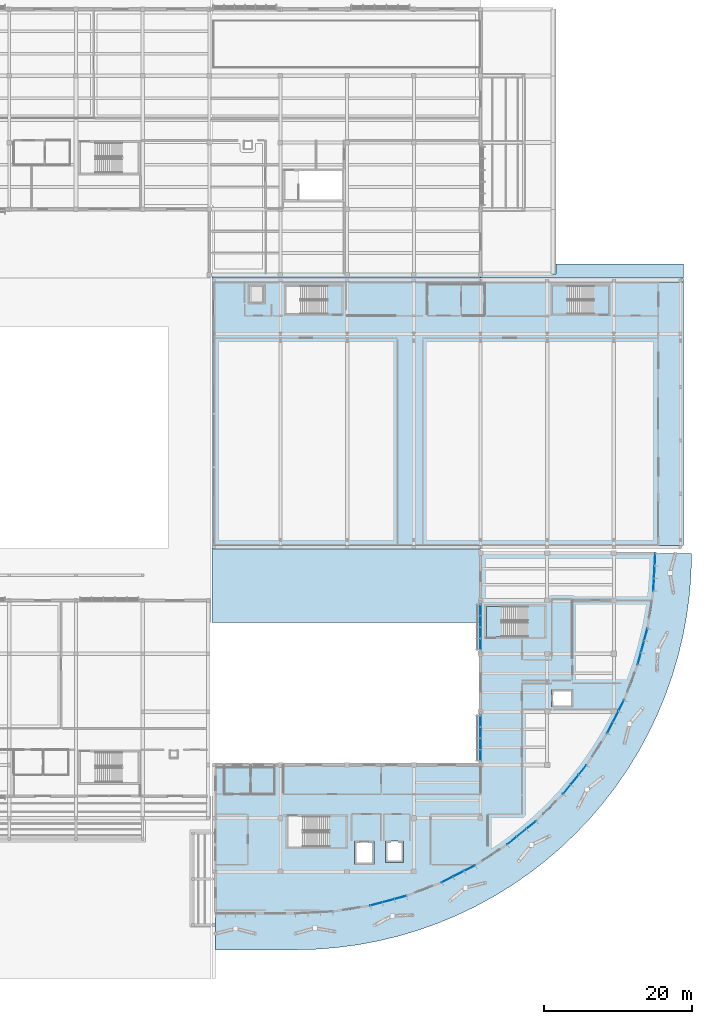
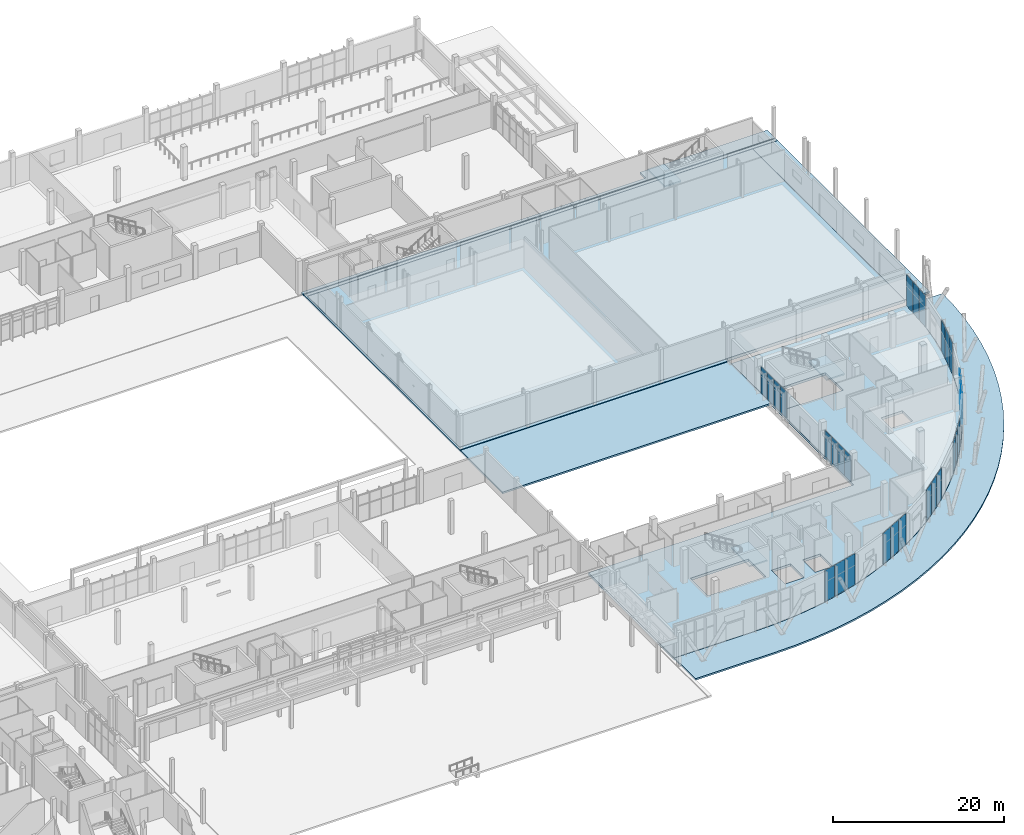
# One storey, part 110 of 151: 29 plates, 13 slabs, 12 elements without a shape of their own.
"""IFC4 building model written with IfcOpenShell, lengths in metres."""

from ifc_helpers import new_model, si_unit, direction, frame, origin, origin_2d, place, context, subcontext, project, spatial, polyline, rectangle, outline, extrude, material, layer, layer_set, type_object, element, aggregate, save


model = new_model("IFC4")

# Units and contexts
model_context = context("Model", 3, precision=1e-05, world=origin(), true_north=direction((0.0, 1.0)))
body_context = subcontext(model_context, "Body", "Model", "MODEL_VIEW")
ifc_project = project(units=[si_unit("LENGTHUNIT", "METRE"), si_unit("AREAUNIT", "SQUARE_METRE"), si_unit("VOLUMEUNIT", "CUBIC_METRE"), si_unit("PLANEANGLEUNIT", "RADIAN"), si_unit("MASSUNIT", "GRAM", prefix="KILO")], contexts=[model_context])

# Site, building, storey
site_placement = place(None, origin())
site = spatial("IfcSite", under=ifc_project, at=site_placement, CompositionType="ELEMENT")
building_placement = place(site_placement, origin())
building = spatial("IfcBuilding", under=site, at=building_placement, Name="Chiffa Square Polytechnic", CompositionType="ELEMENT")
storey_placement = place(building_placement, origin())
storey = spatial("IfcBuildingStorey", under=building, at=storey_placement, Name="L00", CompositionType="ELEMENT", Elevation=0.0)

# Curtain wall, plates
ifc_material_1 = material(Name="Aluminium EN AW-6060 T66 and glulam shading", Category="wood")
curtain_wall_type_1 = type_object("IfcCurtainWallType", Name="CW-VERT-600X440", PredefinedType="USERDEFINED", material=ifc_material_1)
curtain_wall_1_placement = place(storey_placement, origin())
curtain_wall_1 = element("IfcCurtainWall", 1, at=curtain_wall_1_placement, inside=storey, type_object=curtain_wall_type_1, Name="Curtain wall CW-V1-L00-009", ObjectType="CURTAIN WALL", PredefinedType="USERDEFINED")
ifc_material_2 = material(Name="Double glazing", Category="glass")
ifc_layer_1 = layer(ifc_material_2, 0.0458984375, Name="Double glazing")
ifc_layer_set_1 = layer_set([ifc_layer_1], Name="Double glazing")
plate_type_1 = type_object("IfcPlateType", Name="CWP-GLZ-128X106", PredefinedType="CURTAIN_PANEL", material=ifc_layer_set_1)
plate_1_placement = place(storey_placement, frame((171.5791015625, 53.1279296875, 0.029541015625), z_axis=(0.0, 0.0, 1.0), x_axis=(0.052283668051, 0.99863227369, 0.0)))
plate_1 = element("IfcPlate", 2, at=plate_1_placement, type_object=plate_type_1, Name="Glazed curtain panel CW-V1-L00-009-PN01", PredefinedType="CURTAIN_PANEL", context=body_context, shape_type="SweptSolid", body=[
    extrude(rectangle(XDim=1.6220703125, YDim=0.0458984375, at=origin_2d()), origin(), (0.0, 0.0, 1.0), 4.455078125),
])
plate_2_placement = place(storey_placement, frame((171.6669921875, 54.81005859375, 0.029541015625), z_axis=(0.0, 0.0, 1.0), x_axis=(0.052283668051, 0.99863227369, 0.0)))
plate_2 = element("IfcPlate", 3, at=plate_2_placement, type_object=plate_type_1, Name="Glazed curtain panel CW-V1-L00-009-PN02", PredefinedType="CURTAIN_PANEL", context=body_context, shape_type="SweptSolid", body=[
    extrude(rectangle(XDim=1.64404296875, YDim=0.0458984375, at=origin_2d()), origin(), (0.0, 0.0, 1.0), 4.455078125),
])
plate_3_placement = place(storey_placement, frame((171.7548828125, 56.491943359375, 0.029541015625), z_axis=(0.0, 0.0, 1.0), x_axis=(0.052283668051, 0.99863227369, 0.0)))
plate_3 = element("IfcPlate", 4, at=plate_3_placement, type_object=plate_type_1, Name="Glazed curtain panel CW-V1-L00-009-PN03", PredefinedType="CURTAIN_PANEL", context=body_context, shape_type="SweptSolid", body=[
    extrude(rectangle(XDim=1.6220703125, YDim=0.0458984375, at=origin_2d()), origin(), (0.0, 0.0, 1.0), 4.455078125),
])
aggregate(curtain_wall_1, [plate_1, plate_2, plate_3])

curtain_wall_type_2 = type_object("IfcCurtainWallType", Name="CW-VERT-450X440", PredefinedType="USERDEFINED", material=ifc_material_1)
curtain_wall_2_placement = place(storey_placement, origin())
curtain_wall_2 = element("IfcCurtainWall", 5, at=curtain_wall_2_placement, inside=storey, type_object=curtain_wall_type_2, Name="Curtain wall CW-V1-L00-008", ObjectType="CURTAIN WALL", PredefinedType="USERDEFINED")
ifc_layer_2 = layer(ifc_material_2, 0.0458984375, Name="Double glazing")
ifc_layer_set_2 = layer_set([ifc_layer_2], Name="Double glazing")
plate_type_2 = type_object("IfcPlateType", Name="CWP-GLZ-130X110", PredefinedType="CURTAIN_PANEL", material=ifc_layer_set_2)
plate_4_placement = place(storey_placement, frame((169.64306640625, 43.160888671875, 0.029541015625), z_axis=(0.0, 0.0, 1.0), x_axis=(0.258920195199, 0.965898717526, 0.0)))
plate_4 = element("IfcPlate", 6, at=plate_4_placement, type_object=plate_type_2, Name="Glazed curtain panel CW-V1-L00-008-PN01", PredefinedType="CURTAIN_PANEL", context=body_context, shape_type="SweptSolid", body=[
    extrude(rectangle(XDim=1.62109375, YDim=0.0458984375, at=origin_2d()), origin(), (0.0, 0.0, 1.0), 4.455078125),
])
plate_5_placement = place(storey_placement, frame((170.0791015625, 44.7880859375, 0.029541015625), z_axis=(0.0, 0.0, 1.0), x_axis=(0.258920195199, 0.965898717526, 0.0)))
plate_5 = element("IfcPlate", 7, at=plate_5_placement, type_object=plate_type_2, Name="Glazed curtain panel CW-V1-L00-008-PN02", PredefinedType="CURTAIN_PANEL", context=body_context, shape_type="SweptSolid", body=[
    extrude(rectangle(XDim=1.64306640625, YDim=0.0458984375, at=origin_2d()), origin(), (0.0, 0.0, 1.0), 4.455078125),
])
plate_6_placement = place(storey_placement, frame((170.51611328125, 46.416015625, 0.029541015625), z_axis=(0.0, 0.0, 1.0), x_axis=(0.258920195199, 0.965898717526, 0.0)))
plate_6 = element("IfcPlate", 8, at=plate_6_placement, type_object=plate_type_2, Name="Glazed curtain panel CW-V1-L00-008-PN03", PredefinedType="CURTAIN_PANEL", context=body_context, shape_type="SweptSolid", body=[
    extrude(rectangle(XDim=1.62109375, YDim=0.0458984375, at=origin_2d()), origin(), (0.0, 0.0, 1.0), 4.455078125),
])
aggregate(curtain_wall_2, [plate_4, plate_5, plate_6])

curtain_wall_type_3 = type_object("IfcCurtainWallType", Name="CW-VERT-540X440", PredefinedType="USERDEFINED", material=ifc_material_1)
curtain_wall_3_placement = place(storey_placement, origin())
curtain_wall_3 = element("IfcCurtainWall", 9, at=curtain_wall_3_placement, inside=storey, type_object=curtain_wall_type_3, Name="Curtain wall CW-V1-L00-007", ObjectType="CURTAIN WALL", PredefinedType="USERDEFINED")
ifc_layer_3 = layer(ifc_material_2, 0.0439453125, Name="Double glazing")
ifc_layer_set_3 = layer_set([ifc_layer_3], Name="Double glazing")
plate_type_3 = type_object("IfcPlateType", Name="CWP-GLZ-132X114", PredefinedType="CURTAIN_PANEL", material=ifc_layer_set_3)
plate_7_placement = place(storey_placement, frame((165.678955078125, 33.81494140625, 0.029541015625), z_axis=(0.0, 0.0, 1.0), x_axis=(0.453881639369, 0.891061982941, 0.0)))
plate_7 = element("IfcPlate", 10, at=plate_7_placement, type_object=plate_type_3, Name="Glazed curtain panel CW-V1-L00-007-PN01", PredefinedType="CURTAIN_PANEL", context=body_context, shape_type="SweptSolid", body=[
    extrude(rectangle(XDim=1.6220703125, YDim=0.0439453125, at=origin_2d()), origin(), (0.0, 0.0, 1.0), 4.455078125),
])
plate_8_placement = place(storey_placement, frame((166.444091796875, 35.31591796875, 0.029541015625), z_axis=(0.0, 0.0, 1.0), x_axis=(0.453881639369, 0.891061982941, 0.0)))
plate_8 = element("IfcPlate", 11, at=plate_8_placement, type_object=plate_type_3, Name="Glazed curtain panel CW-V1-L00-007-PN02", PredefinedType="CURTAIN_PANEL", context=body_context, shape_type="SweptSolid", body=[
    extrude(rectangle(XDim=1.64404296875, YDim=0.0439453125, at=origin_2d()), origin(), (0.0, 0.0, 1.0), 4.455078125),
])
plate_9_placement = place(storey_placement, frame((167.2080078125, 36.818115234375, 0.029541015625), z_axis=(0.0, 0.0, 1.0), x_axis=(0.453881639369, 0.891061982941, 0.0)))
plate_9 = element("IfcPlate", 12, at=plate_9_placement, type_object=plate_type_3, Name="Glazed curtain panel CW-V1-L00-007-PN03", PredefinedType="CURTAIN_PANEL", context=body_context, shape_type="SweptSolid", body=[
    extrude(rectangle(XDim=1.6220703125, YDim=0.0439453125, at=origin_2d()), origin(), (0.0, 0.0, 1.0), 4.455078125),
])
aggregate(curtain_wall_3, [plate_7, plate_8, plate_9])

curtain_wall_type_4 = type_object("IfcCurtainWallType", Name="CW-VERT-480X380", PredefinedType="USERDEFINED", material=ifc_material_1)
curtain_wall_4_placement = place(storey_placement, origin())
curtain_wall_4 = element("IfcCurtainWall", 13, at=curtain_wall_4_placement, inside=storey, type_object=curtain_wall_type_4, Name="Curtain wall CW-V1-L00-006", ObjectType="CURTAIN WALL", PredefinedType="USERDEFINED")
ifc_layer_4 = layer(ifc_material_2, 0.0439453125, Name="Double glazing")
ifc_layer_set_4 = layer_set([ifc_layer_4], Name="Double glazing")
plate_type_4 = type_object("IfcPlateType", Name="CWP-GLZ-134X118", PredefinedType="CURTAIN_PANEL", material=ifc_layer_set_4)
plate_10_placement = place(storey_placement, frame((159.85693359375, 25.498046875, 0.029541015625), z_axis=(0.0, 0.0, 1.0), x_axis=(0.629211874869, 0.777233823584, 0.0)))
plate_10 = element("IfcPlate", 14, at=plate_10_placement, type_object=plate_type_4, Name="Glazed curtain panel CW-V1-L00-006-PN01", PredefinedType="CURTAIN_PANEL", context=body_context, shape_type="SweptSolid", body=[
    extrude(rectangle(XDim=1.6220703125, YDim=0.0439453125, at=origin_2d()), origin(), (0.0, 0.0, 1.0), 4.455078125),
])
plate_11_placement = place(storey_placement, frame((160.91796875, 26.806884765625, 0.029541015625), z_axis=(0.0, 0.0, 1.0), x_axis=(0.629211874869, 0.777233823584, 0.0)))
plate_11 = element("IfcPlate", 15, at=plate_11_placement, type_object=plate_type_4, Name="Glazed curtain panel CW-V1-L00-006-PN02", PredefinedType="CURTAIN_PANEL", context=body_context, shape_type="SweptSolid", body=[
    extrude(rectangle(XDim=1.64404296875, YDim=0.0439453125, at=origin_2d()), origin(), (0.0, 0.0, 1.0), 4.455078125),
])
plate_12_placement = place(storey_placement, frame((161.97802734375, 28.115966796875, 0.029541015625), z_axis=(0.0, 0.0, 1.0), x_axis=(0.629211874869, 0.777233823584, 0.0)))
plate_12 = element("IfcPlate", 16, at=plate_12_placement, type_object=plate_type_4, Name="Glazed curtain panel CW-V1-L00-006-PN03", PredefinedType="CURTAIN_PANEL", context=body_context, shape_type="SweptSolid", body=[
    extrude(rectangle(XDim=1.6220703125, YDim=0.0439453125, at=origin_2d()), origin(), (0.0, 0.0, 1.0), 4.455078125),
])
aggregate(curtain_wall_4, [plate_10, plate_11, plate_12])

curtain_wall_type_5 = type_object("IfcCurtainWallType", Name="CW-VERT-360X380", PredefinedType="USERDEFINED", material=ifc_material_1)
curtain_wall_5_placement = place(storey_placement, origin())
curtain_wall_5 = element("IfcCurtainWall", 17, at=curtain_wall_5_placement, inside=storey, type_object=curtain_wall_type_5, Name="Curtain wall CW-V1-L00-005", ObjectType="CURTAIN WALL", PredefinedType="USERDEFINED")
ifc_layer_5 = layer(ifc_material_2, 0.0419921875, Name="Double glazing")
ifc_layer_set_5 = layer_set([ifc_layer_5], Name="Double glazing")
plate_type_5 = type_object("IfcPlateType", Name="CWP-GLZ-136X122", PredefinedType="CURTAIN_PANEL", material=ifc_layer_set_5)
plate_13_placement = place(storey_placement, frame((152.43408203125, 18.572021484375, 0.029541015625), z_axis=(0.0, 0.0, 1.0), x_axis=(0.777233823584, 0.629211874869, 0.0)))
plate_13 = element("IfcPlate", 18, at=plate_13_placement, type_object=plate_type_5, Name="Glazed curtain panel CW-V1-L00-005-PN01", PredefinedType="CURTAIN_PANEL", context=body_context, shape_type="SweptSolid", body=[
    extrude(rectangle(XDim=1.6220703125, YDim=0.0419921875, at=origin_2d()), origin(), (0.0, 0.0, 1.0), 4.455078125),
])
plate_14_placement = place(storey_placement, frame((153.742919921875, 19.633056640625, 0.029541015625), z_axis=(0.0, 0.0, 1.0), x_axis=(0.777233823584, 0.629211874869, 0.0)))
plate_14 = element("IfcPlate", 19, at=plate_14_placement, type_object=plate_type_5, Name="Glazed curtain panel CW-V1-L00-005-PN02", PredefinedType="CURTAIN_PANEL", context=body_context, shape_type="SweptSolid", body=[
    extrude(rectangle(XDim=1.64404296875, YDim=0.0419921875, at=origin_2d()), origin(), (0.0, 0.0, 1.0), 4.455078125),
])
plate_15_placement = place(storey_placement, frame((155.052001953125, 20.693115234375, 0.029541015625), z_axis=(0.0, 0.0, 1.0), x_axis=(0.777233823584, 0.629211874869, 0.0)))
plate_15 = element("IfcPlate", 20, at=plate_15_placement, type_object=plate_type_5, Name="Glazed curtain panel CW-V1-L00-005-PN03", PredefinedType="CURTAIN_PANEL", context=body_context, shape_type="SweptSolid", body=[
    extrude(rectangle(XDim=1.6220703125, YDim=0.0419921875, at=origin_2d()), origin(), (0.0, 0.0, 1.0), 4.455078125),
])
aggregate(curtain_wall_5, [plate_13, plate_14, plate_15])

curtain_wall_type_6 = type_object("IfcCurtainWallType", Name="CW-VERT-600X380", PredefinedType="USERDEFINED", material=ifc_material_1)
curtain_wall_6_placement = place(storey_placement, origin())
curtain_wall_6 = element("IfcCurtainWall", 21, at=curtain_wall_6_placement, inside=storey, type_object=curtain_wall_type_6, Name="Curtain wall CW-V1-L00-004", ObjectType="CURTAIN WALL", PredefinedType="USERDEFINED")
ifc_layer_6 = layer(ifc_material_2, 0.0419921875, Name="Double glazing")
ifc_layer_set_6 = layer_set([ifc_layer_6], Name="Double glazing")
plate_type_6 = type_object("IfcPlateType", Name="CWP-GLZ-138X126", PredefinedType="CURTAIN_PANEL", material=ifc_layer_set_6)
plate_16_placement = place(storey_placement, frame((143.73193359375, 13.342041015625, 0.029541015625), z_axis=(0.0, 0.0, 1.0), x_axis=(0.891061982941, 0.453881639369, 0.0)))
plate_16 = element("IfcPlate", 22, at=plate_16_placement, type_object=plate_type_6, Name="Glazed curtain panel CW-V1-L00-004-PN01", PredefinedType="CURTAIN_PANEL", context=body_context, shape_type="SweptSolid", body=[
    extrude(rectangle(XDim=1.6220703125, YDim=0.0419921875, at=origin_2d()), origin(), (0.0, 0.0, 1.0), 4.455078125),
])
plate_17_placement = place(storey_placement, frame((145.23388671875, 14.10693359375, 0.029541015625), z_axis=(0.0, 0.0, 1.0), x_axis=(0.891061982941, 0.453881639369, 0.0)))
plate_17 = element("IfcPlate", 23, at=plate_17_placement, type_object=plate_type_6, Name="Glazed curtain panel CW-V1-L00-004-PN02", PredefinedType="CURTAIN_PANEL", context=body_context, shape_type="SweptSolid", body=[
    extrude(rectangle(XDim=1.64404296875, YDim=0.0419921875, at=origin_2d()), origin(), (0.0, 0.0, 1.0), 4.455078125),
])
plate_18_placement = place(storey_placement, frame((146.735107421875, 14.87109375, 0.029541015625), z_axis=(0.0, 0.0, 1.0), x_axis=(0.891061982941, 0.453881639369, 0.0)))
plate_18 = element("IfcPlate", 24, at=plate_18_placement, type_object=plate_type_6, Name="Glazed curtain panel CW-V1-L00-004-PN03", PredefinedType="CURTAIN_PANEL", context=body_context, shape_type="SweptSolid", body=[
    extrude(rectangle(XDim=1.6220703125, YDim=0.0419921875, at=origin_2d()), origin(), (0.0, 0.0, 1.0), 4.455078125),
])
aggregate(curtain_wall_6, [plate_16, plate_17, plate_18])

curtain_wall_type_7 = type_object("IfcCurtainWallType", Name="CW-VERT-300X380", PredefinedType="USERDEFINED", material=ifc_material_1)
curtain_wall_7_placement = place(storey_placement, origin())
curtain_wall_7 = element("IfcCurtainWall", 25, at=curtain_wall_7_placement, inside=storey, type_object=curtain_wall_type_7, Name="Curtain wall CW-V1-L00-003", ObjectType="CURTAIN WALL", PredefinedType="USERDEFINED")
ifc_layer_7 = layer(ifc_material_2, 0.0400390625, Name="Double glazing")
ifc_layer_set_7 = layer_set([ifc_layer_7], Name="Double glazing")
plate_type_7 = type_object("IfcPlateType", Name="CWP-GLZ-140X130", PredefinedType="CURTAIN_PANEL", material=ifc_layer_set_7)
plate_19_placement = place(storey_placement, frame((134.134033203125, 10.033935546875, 0.029541015625), z_axis=(0.0, 0.0, 1.0), x_axis=(0.965898717526, 0.258920195199, 0.0)))
plate_19 = element("IfcPlate", 26, at=plate_19_placement, type_object=plate_type_7, Name="Glazed curtain panel CW-V1-L00-003-PN01", PredefinedType="CURTAIN_PANEL", context=body_context, shape_type="SweptSolid", body=[
    extrude(rectangle(XDim=1.62109375, YDim=0.0400390625, at=origin_2d()), origin(), (0.0, 0.0, 1.0), 4.455078125),
])
plate_20_placement = place(storey_placement, frame((135.761962890625, 10.469970703125, 0.029541015625), z_axis=(0.0, 0.0, 1.0), x_axis=(0.965898717526, 0.258920195199, 0.0)))
plate_20 = element("IfcPlate", 27, at=plate_20_placement, type_object=plate_type_7, Name="Glazed curtain panel CW-V1-L00-003-PN02", PredefinedType="CURTAIN_PANEL", context=body_context, shape_type="SweptSolid", body=[
    extrude(rectangle(XDim=1.64306640625, YDim=0.0400390625, at=origin_2d()), origin(), (0.0, 0.0, 1.0), 4.455078125),
])
plate_21_placement = place(storey_placement, frame((137.388916015625, 10.906982421875, 0.029541015625), z_axis=(0.0, 0.0, 1.0), x_axis=(0.965898717526, 0.258920195199, 0.0)))
plate_21 = element("IfcPlate", 28, at=plate_21_placement, type_object=plate_type_7, Name="Glazed curtain panel CW-V1-L00-003-PN03", PredefinedType="CURTAIN_PANEL", context=body_context, shape_type="SweptSolid", body=[
    extrude(rectangle(XDim=1.62109375, YDim=0.0400390625, at=origin_2d()), origin(), (0.0, 0.0, 1.0), 4.455078125),
])
aggregate(curtain_wall_7, [plate_19, plate_20, plate_21])

curtain_wall_8_placement = place(storey_placement, origin())
curtain_wall_8 = element("IfcCurtainWall", 29, at=curtain_wall_8_placement, inside=storey, type_object=curtain_wall_type_4, Name="Curtain wall CW-V1-L00-126", ObjectType="CURTAIN WALL", PredefinedType="USERDEFINED")
ifc_layer_8 = layer(ifc_material_2, 0.0380859375, Name="Double glazing")
ifc_layer_set_8 = layer_set([ifc_layer_8], Name="Double glazing")
plate_type_8 = type_object("IfcPlateType", Name="CWP-GLZ-148X142", PredefinedType="CURTAIN_PANEL", material=ifc_layer_set_8)
plate_22_placement = place(storey_placement, frame((148.199951171875, 34.68408203125, 0.049560546875), z_axis=(0.0, 0.0, 1.0), x_axis=(0.0, -1.0, 0.0)))
plate_22 = element("IfcPlate", 30, at=plate_22_placement, type_object=plate_type_8, Name="Glazed curtain panel CW-V1-L00-126-PN01", PredefinedType="CURTAIN_PANEL", context=body_context, shape_type="SweptSolid", body=[
    extrude(rectangle(XDim=1.4560546875, YDim=0.0380859375, at=origin_2d()), origin(), (0.0, 0.0, 1.0), 3.7548828125),
])
plate_23_placement = place(storey_placement, frame((148.199951171875, 33.1650390625, 0.049560546875), z_axis=(0.0, 0.0, 1.0), x_axis=(0.0, -1.0, 0.0)))
plate_23 = element("IfcPlate", 31, at=plate_23_placement, type_object=plate_type_8, Name="Glazed curtain panel CW-V1-L00-126-PN02", PredefinedType="CURTAIN_PANEL", context=body_context, shape_type="SweptSolid", body=[
    extrude(rectangle(XDim=1.47802734375, YDim=0.0380859375, at=origin_2d()), origin(), (0.0, 0.0, 1.0), 3.7548828125),
])
plate_24_placement = place(storey_placement, frame((148.199951171875, 31.635009765625, 0.049560546875), z_axis=(0.0, 0.0, 1.0), x_axis=(0.0, -1.0, 0.0)))
plate_24 = element("IfcPlate", 32, at=plate_24_placement, type_object=plate_type_8, Name="Glazed curtain panel CW-V1-L00-126-PN03", PredefinedType="CURTAIN_PANEL", context=body_context, shape_type="SweptSolid", body=[
    extrude(rectangle(XDim=1.47802734375, YDim=0.0380859375, at=origin_2d()), origin(), (0.0, 0.0, 1.0), 3.7548828125),
])
plate_25_placement = place(storey_placement, frame((148.199951171875, 30.115966796875, 0.049560546875), z_axis=(0.0, 0.0, 1.0), x_axis=(0.0, -1.0, 0.0)))
plate_25 = element("IfcPlate", 33, at=plate_25_placement, type_object=plate_type_8, Name="Glazed curtain panel CW-V1-L00-126-PN04", PredefinedType="CURTAIN_PANEL", context=body_context, shape_type="SweptSolid", body=[
    extrude(rectangle(XDim=1.4560546875, YDim=0.0380859375, at=origin_2d()), origin(), (0.0, 0.0, 1.0), 3.7548828125),
])
aggregate(curtain_wall_8, [plate_22, plate_23, plate_24, plate_25])

curtain_wall_9_placement = place(storey_placement, origin())
curtain_wall_9 = element("IfcCurtainWall", 34, at=curtain_wall_9_placement, inside=storey, type_object=curtain_wall_type_5, Name="Curtain wall CW-V1-L00-125", ObjectType="CURTAIN WALL", PredefinedType="USERDEFINED")
ifc_layer_9 = layer(ifc_material_2, 0.035888671875, Name="Double glazing")
ifc_layer_set_9 = layer_set([ifc_layer_9], Name="Double glazing")
plate_type_9 = type_object("IfcPlateType", Name="CWP-GLZ-180X140", PredefinedType="CURTAIN_PANEL", material=ifc_layer_set_9)
plate_26_placement = place(storey_placement, frame((148.199951171875, 49.68408203125, 0.049560546875), z_axis=(0.0, 0.0, 1.0), x_axis=(0.0, -1.0, 0.0)))
plate_26 = element("IfcPlate", 35, at=plate_26_placement, type_object=plate_type_9, Name="Glazed curtain panel CW-V1-L00-125-PN01", PredefinedType="CURTAIN_PANEL", context=body_context, shape_type="SweptSolid", body=[
    extrude(rectangle(XDim=1.4560546875, YDim=0.035888671875, at=origin_2d()), origin(), (0.0, 0.0, 1.0), 3.7548828125),
])
plate_27_placement = place(storey_placement, frame((148.199951171875, 48.1650390625, 0.049560546875), z_axis=(0.0, 0.0, 1.0), x_axis=(0.0, -1.0, 0.0)))
plate_27 = element("IfcPlate", 36, at=plate_27_placement, type_object=plate_type_9, Name="Glazed curtain panel CW-V1-L00-125-PN02", PredefinedType="CURTAIN_PANEL", context=body_context, shape_type="SweptSolid", body=[
    extrude(rectangle(XDim=1.47802734375, YDim=0.035888671875, at=origin_2d()), origin(), (0.0, 0.0, 1.0), 3.7548828125),
])
plate_28_placement = place(storey_placement, frame((148.199951171875, 46.635009765625, 0.049560546875), z_axis=(0.0, 0.0, 1.0), x_axis=(0.0, -1.0, 0.0)))
plate_28 = element("IfcPlate", 37, at=plate_28_placement, type_object=plate_type_9, Name="Glazed curtain panel CW-V1-L00-125-PN03", PredefinedType="CURTAIN_PANEL", context=body_context, shape_type="SweptSolid", body=[
    extrude(rectangle(XDim=1.47802734375, YDim=0.035888671875, at=origin_2d()), origin(), (0.0, 0.0, 1.0), 3.7548828125),
])
plate_29_placement = place(storey_placement, frame((148.199951171875, 45.115966796875, 0.049560546875), z_axis=(0.0, 0.0, 1.0), x_axis=(0.0, -1.0, 0.0)))
plate_29 = element("IfcPlate", 38, at=plate_29_placement, type_object=plate_type_9, Name="Glazed curtain panel CW-V1-L00-125-PN04", PredefinedType="CURTAIN_PANEL", context=body_context, shape_type="SweptSolid", body=[
    extrude(rectangle(XDim=1.4560546875, YDim=0.035888671875, at=origin_2d()), origin(), (0.0, 0.0, 1.0), 3.7548828125),
])
aggregate(curtain_wall_9, [plate_26, plate_27, plate_28, plate_29])

# Slabs
ifc_material_3 = material(Name="Limestone paving on compacted sub-base", Category="masonry")
ifc_layer_10 = layer(ifc_material_3, 0.239990234375, Name="Limestone paving on compacted sub-base")
ifc_layer_set_10 = layer_set([ifc_layer_10], Name="Limestone paving on compacted sub-base")
slab_type_1 = type_object("IfcSlabType", Name="SLB-APRON-BASE-240", PredefinedType="FLOOR", material=ifc_layer_set_10)
slab_1_placement = place(storey_placement, frame((0.0, 0.0, -0.239990234375)))
element("IfcSlab", 39, at=slab_1_placement, inside=storey, type_object=slab_type_1, Name="Exterior colonnade and yard apron SLB-APRON-V2-E", PredefinedType="FLOOR", context=body_context, shape_type="SweptSolid", body=[
    extrude(outline(polyline([(175.60009765625, 93.949951171875), (175.60009765625, 58.449951171875), (172.2119140625, 58.449951171875), (172.2119140625, 93.949951171875), (175.60009765625, 93.949951171875)])), origin(), (0.0, 0.0, 1.0), 0.239990234375),
])
slab_2_placement = place(storey_placement, frame((0.0, 0.0, -0.239990234375)))
element("IfcSlab", 40, at=slab_2_placement, inside=storey, type_object=slab_type_1, Name="Exterior colonnade and yard apron SLB-APRON-V2-N", PredefinedType="FLOOR", context=body_context, shape_type="SweptSolid", body=[
    extrude(outline(polyline([(148.199951171875, 94.449951171875), (175.60009765625, 94.449951171875), (175.60009765625, 93.9619140625), (148.199951171875, 93.9619140625), (148.199951171875, 94.449951171875)])), origin(), (0.0, 0.0, 1.0), 0.239990234375),
])
slab_3_placement = place(storey_placement, frame((0.0, 0.0, -0.239990234375)))
element("IfcSlab", 41, at=slab_3_placement, inside=storey, type_object=slab_type_1, Name="Exterior colonnade and yard apron SLB-APRON-V2-N-2", PredefinedType="FLOOR", context=body_context, shape_type="SweptSolid", body=[
    extrude(outline(polyline([(175.60009765625, 96.39990234375), (175.60009765625, 94.550048828125), (148.199951171875, 94.550048828125), (148.199951171875, 95.0380859375), (148.2060546875, 95.0400390625), (158.402099609375, 95.0380859375), (158.412109375, 95.050048828125), (158.412109375, 96.39990234375), (175.60009765625, 96.39990234375)])), origin(), (0.0, 0.0, 1.0), 0.239990234375),
])
slab_4_placement = place(storey_placement, frame((0.0, 0.0, -0.239990234375)))
element("IfcSlab", 42, at=slab_4_placement, inside=storey, type_object=slab_type_1, Name="Chiffa Square portico plaza SLB-APRON-V1-1", PredefinedType="FLOOR", context=body_context, shape_type="SweptSolid", body=[
    extrude(outline(polyline([(176.699951171875, 57.35009765625), (176.626953125, 54.550048828125), (176.406982421875, 51.758056640625), (176.041015625, 48.98095703125), (175.531005859375, 46.22705078125), (174.876953125, 43.5029296875), (174.08203125, 40.818115234375), (173.14697265625, 38.177001953125), (172.074951171875, 35.590087890625), (170.868896484375, 33.06201171875), (169.531982421875, 30.60009765625), (168.069091796875, 28.2119140625), (166.48193359375, 25.903076171875), (164.777099609375, 23.680908203125), (162.9580078125, 21.552001953125), (161.030029296875, 19.52001953125), (158.998046875, 17.592041015625), (156.868896484375, 15.77294921875), (154.64697265625, 14.068115234375), (152.337890625, 12.48095703125), (149.949951171875, 11.01806640625), (147.488037109375, 9.680908203125), (144.9599609375, 8.47509765625), (142.373046875, 7.403076171875), (139.73193359375, 6.468017578125), (137.047119140625, 5.673095703125), (134.322998046875, 5.01904296875), (131.569091796875, 4.509033203125), (128.7919921875, 4.14306640625), (126.0, 3.923095703125), (123.199951171875, 3.85009765625), (112.465087890625, 3.85009765625), (112.465087890625, 8.735107421875), (123.199951171875, 8.735107421875), (125.7451171875, 8.802001953125), (128.281982421875, 9.0009765625), (130.804931640625, 9.3330078125), (133.30810546875, 9.797119140625), (135.782958984375, 10.39111328125), (138.221923828125, 11.114990234375), (140.6220703125, 11.964111328125), (142.972900390625, 12.93798828125), (145.27099609375, 14.033935546875), (147.507080078125, 15.248046875), (149.677001953125, 16.577880859375), (151.77490234375, 18.02001953125), (153.794921875, 19.570068359375), (155.72998046875, 21.221923828125), (157.575927734375, 22.97509765625), (159.327880859375, 24.820068359375), (160.97998046875, 26.7548828125), (162.530029296875, 28.77490234375), (163.971923828125, 30.873046875), (165.302001953125, 33.04296875), (166.51708984375, 35.280029296875), (167.612060546875, 37.576904296875), (168.5859375, 39.927978515625), (169.43505859375, 42.326904296875), (170.157958984375, 44.76708984375), (170.7529296875, 47.240966796875), (171.217041015625, 49.743896484375), (171.549072265625, 52.26806640625), (171.748046875, 54.805908203125), (171.81494140625, 57.35009765625), (176.699951171875, 57.35009765625)])), origin(), (0.0, 0.0, 1.0), 0.239990234375),
])
slab_5_placement = place(storey_placement, frame((0.0, 0.0, -0.239990234375)))
element("IfcSlab", 43, at=slab_5_placement, inside=storey, type_object=slab_type_1, Name="Courtyard perimeter cloister paving SLB-COURTYARD-FORUM-3", PredefinedType="FLOOR", context=body_context, shape_type="SweptSolid", body=[
    extrude(outline(polyline([(111.949951171875, 48.0), (111.949951171875, 57.85009765625), (148.199951171875, 57.85009765625), (148.199951171875, 57.364990234375), (148.18896484375, 57.361083984375), (148.18505859375, 57.35009765625), (148.18505859375, 48.0), (111.949951171875, 48.0)])), origin(), (0.0, 0.0, 1.0), 0.239990234375),
])
slab_6_placement = place(storey_placement, frame((0.0, 0.0, -0.239990234375)))
element("IfcSlab", 44, at=slab_6_placement, inside=storey, type_object=slab_type_1, Name="Courtyard perimeter cloister paving SLB-COURTYARD-FORUM-4", PredefinedType="FLOOR", context=body_context, shape_type="SweptSolid", body=[
    extrude(outline(polyline([(111.949951171875, 57.949951171875), (111.949951171875, 94.449951171875), (148.18505859375, 94.449951171875), (148.18505859375, 93.965087890625), (112.199951171875, 93.965087890625), (112.18896484375, 93.9609375), (112.18505859375, 93.949951171875), (112.18505859375, 58.449951171875), (112.18896484375, 58.43896484375), (112.199951171875, 58.43505859375), (148.199951171875, 58.43505859375), (148.199951171875, 57.949951171875), (111.949951171875, 57.949951171875)])), origin(), (0.0, 0.0, 1.0), 0.239990234375),
])
slab_7_placement = place(storey_placement, frame((0.0, 0.0, -0.239990234375)))
element("IfcSlab", 45, at=slab_7_placement, inside=storey, type_object=slab_type_1, Name="Courtyard perimeter cloister paving SLB-COURTYARD-FORUM-5", PredefinedType="FLOOR", context=body_context, shape_type="SweptSolid", body=[
    extrude(outline(polyline([(111.949951171875, 94.550048828125), (111.949951171875, 95.034912109375), (148.18505859375, 95.034912109375), (148.18505859375, 94.550048828125), (111.949951171875, 94.550048828125)])), origin(), (0.0, 0.0, 1.0), 0.239990234375),
])
ifc_material_4 = material(Name="Concrete C35/45", Category="concrete")
ifc_layer_11 = layer(ifc_material_4, 0.419921875, Name="Concrete C35/45")
ifc_layer_set_11 = layer_set([ifc_layer_11], Name="Concrete C35/45")
slab_type_2 = type_object("IfcSlabType", Name="SLB-BASE-420", PredefinedType="BASESLAB", material=ifc_layer_set_11)
slab_8_placement = place(storey_placement, frame((0.0, 0.0, -0.419921875)))
element("IfcSlab", 46, at=slab_8_placement, inside=storey, type_object=slab_type_2, Name="V2 L00 structural slab SLB-V2-L00-009", PredefinedType="BASESLAB", context=body_context, shape_type="SweptSolid", body=[
    extrude(outline(polyline([(112.199951171875, 93.949951171875), (172.199951171875, 93.949951171875), (172.199951171875, 58.449951171875), (112.199951171875, 58.449951171875), (112.199951171875, 93.949951171875)])), origin(), (0.0, 0.0, 1.0), 0.419921875),
])
ifc_material_5 = material(Name="Concrete C40/50", Category="concrete")
ifc_layer_12 = layer(ifc_material_5, 0.35009765625, Name="Concrete C40/50")
ifc_layer_set_12 = layer_set([ifc_layer_12], Name="Concrete C40/50")
slab_type_3 = type_object("IfcSlabType", Name="SLB-FLR-350", PredefinedType="FLOOR", material=ifc_layer_set_12)
slab_9_placement = place(storey_placement, frame((0.0, 0.0, -0.35009765625)))
element("IfcSlab", 47, at=slab_9_placement, inside=storey, type_object=slab_type_3, Name="Stair core floor landing slab SLB-CORE-CORE-V1B-L00", PredefinedType="FLOOR", context=body_context, shape_type="SweptSolid", body=[
    extrude(outline(polyline([(149.0, 46.10009765625), (151.011962890625, 46.10009765625), (151.011962890625, 50.199951171875), (149.0, 50.199951171875), (149.0, 46.10009765625)])), origin(), (0.0, 0.0, 1.0), 0.35009765625),
])
slab_10_placement = place(storey_placement, frame((0.0, 0.0, -0.35009765625)))
element("IfcSlab", 48, at=slab_10_placement, inside=storey, type_object=slab_type_3, Name="V1 L00 structural slab SLB-V1-L00-002", PredefinedType="FLOOR", context=body_context, shape_type="SweptSolid", body=[
    extrude(outline(polyline([(112.449951171875, 28.800048828125), (148.199951171875, 28.800048828125), (148.199951171875, 57.35009765625), (171.800048828125, 57.35009765625), (171.73291015625, 54.805908203125), (171.533935546875, 52.27001953125), (171.201904296875, 49.7470703125), (170.738037109375, 47.2451171875), (170.14404296875, 44.77099609375), (169.4208984375, 42.33203125), (168.572021484375, 39.93310546875), (167.597900390625, 37.5830078125), (166.5029296875, 35.285888671875), (165.2890625, 33.050048828125), (163.958984375, 30.881103515625), (162.51806640625, 28.783935546875), (160.968994140625, 26.764892578125), (159.31689453125, 24.830078125), (157.56494140625, 22.985107421875), (155.719970703125, 21.23291015625), (153.784912109375, 19.5810546875), (151.76611328125, 18.031982421875), (149.6689453125, 16.591064453125), (147.5, 15.260986328125), (145.263916015625, 14.047119140625), (142.967041015625, 12.951904296875), (140.616943359375, 11.97802734375), (138.218017578125, 11.12890625), (135.779052734375, 10.406005859375), (133.304931640625, 9.81201171875), (130.802978515625, 9.347900390625), (128.280029296875, 9.01611328125), (125.743896484375, 8.81689453125), (123.199951171875, 8.75), (120.512939453125, 8.75), (117.824951171875, 8.75), (115.137939453125, 8.75), (112.449951171875, 8.75), (112.449951171875, 28.800048828125)]), holes=[polyline([(122.199951171875, 21.85009765625), (130.0, 21.85009765625), (130.0, 17.75), (122.199951171875, 17.75), (122.199951171875, 21.85009765625)]), polyline([(149.0, 50.199951171875), (156.800048828125, 50.199951171875), (156.800048828125, 46.10009765625), (149.0, 46.10009765625), (149.0, 50.199951171875)]), polyline([(131.199951171875, 18.550048828125), (133.800048828125, 18.550048828125), (133.800048828125, 15.35009765625), (131.199951171875, 15.35009765625), (131.199951171875, 18.550048828125)]), polyline([(135.39990234375, 18.550048828125), (137.800048828125, 18.550048828125), (137.800048828125, 15.64990234375), (135.39990234375, 15.64990234375), (135.39990234375, 18.550048828125)]), polyline([(157.800048828125, 39.0), (160.699951171875, 39.0), (160.699951171875, 36.60009765625), (157.800048828125, 36.60009765625), (157.800048828125, 39.0)])]), origin(), (0.0, 0.0, 1.0), 0.35009765625),
])

# Stair, slab
stair_type_1 = type_object("IfcStairType", Name="STAIR-SPR-1850", PredefinedType="HALF_TURN_STAIR", material=ifc_material_4)
stair_1_placement = place(storey_placement, origin())
stair_1 = element("IfcStair", 49, at=stair_1_placement, inside=storey, type_object=stair_type_1, Name="L00 Enclosed exit stair ST-V2B", PredefinedType="HALF_TURN_STAIR")
ifc_layer_13 = layer(ifc_material_4, 0.199951171875, Name="Concrete C35/45")
ifc_layer_set_13 = layer_set([ifc_layer_13], Name="Concrete C35/45")
slab_type_4 = type_object("IfcSlabType", Name="SLB-LND-190", PredefinedType="LANDING", material=ifc_layer_set_13)
slab_11_placement = place(storey_placement, frame((0.0, 0.0, 2.199951171875)))
slab_11 = element("IfcSlab", 50, at=slab_11_placement, type_object=slab_type_4, Name="ST-V2B landing 1", PredefinedType="LANDING", context=body_context, shape_type="SweptSolid", body=[
    extrude(outline(polyline([(160.030029296875, 93.570068359375), (160.030029296875, 89.530029296875), (157.830078125, 89.530029296875), (157.830078125, 93.570068359375), (160.030029296875, 93.570068359375)])), origin(), (0.0, 0.0, 1.0), 0.199951171875),
])
aggregate(stair_1, [slab_11])

stair_type_2 = type_object("IfcStairType", Name="STAIR-DOG-1950", PredefinedType="HALF_TURN_STAIR", material=ifc_material_4)
stair_2_placement = place(storey_placement, origin())
stair_2 = element("IfcStair", 51, at=stair_2_placement, inside=storey, type_object=stair_type_2, Name="L00 Enclosed exit stair ST-V1A", PredefinedType="HALF_TURN_STAIR")
ifc_layer_14 = layer(ifc_material_4, 0.199951171875, Name="Concrete C35/45")
ifc_layer_set_14 = layer_set([ifc_layer_14], Name="Concrete C35/45")
slab_type_5 = type_object("IfcSlabType", Name="SLB-LND-200", PredefinedType="LANDING", material=ifc_layer_set_14)
slab_12_placement = place(storey_placement, frame((0.0, 0.0, 2.199951171875)))
slab_12 = element("IfcSlab", 52, at=slab_12_placement, type_object=slab_type_5, Name="ST-V1A landing 1", PredefinedType="LANDING", context=body_context, shape_type="SweptSolid", body=[
    extrude(outline(polyline([(127.719970703125, 17.6298828125), (127.719970703125, 21.969970703125), (130.1201171875, 21.969970703125), (130.1201171875, 17.6298828125), (127.719970703125, 17.6298828125)])), origin(), (0.0, 0.0, 1.0), 0.199951171875),
])
aggregate(stair_2, [slab_12])

stair_3_placement = place(storey_placement, origin())
stair_3 = element("IfcStair", 53, at=stair_3_placement, inside=storey, type_object=stair_type_2, Name="L00 Enclosed exit stair ST-V1B", PredefinedType="HALF_TURN_STAIR")
slab_13_placement = place(storey_placement, frame((0.0, 0.0, 2.199951171875)))
slab_13 = element("IfcSlab", 54, at=slab_13_placement, type_object=slab_type_5, Name="ST-V1B landing 1", PredefinedType="LANDING", context=body_context, shape_type="SweptSolid", body=[
    extrude(outline(polyline([(154.52001953125, 45.97998046875), (154.52001953125, 50.320068359375), (156.919921875, 50.320068359375), (156.919921875, 45.97998046875), (154.52001953125, 45.97998046875)])), origin(), (0.0, 0.0, 1.0), 0.199951171875),
])
aggregate(stair_3, [slab_13])

save(model, "model.ifc")
